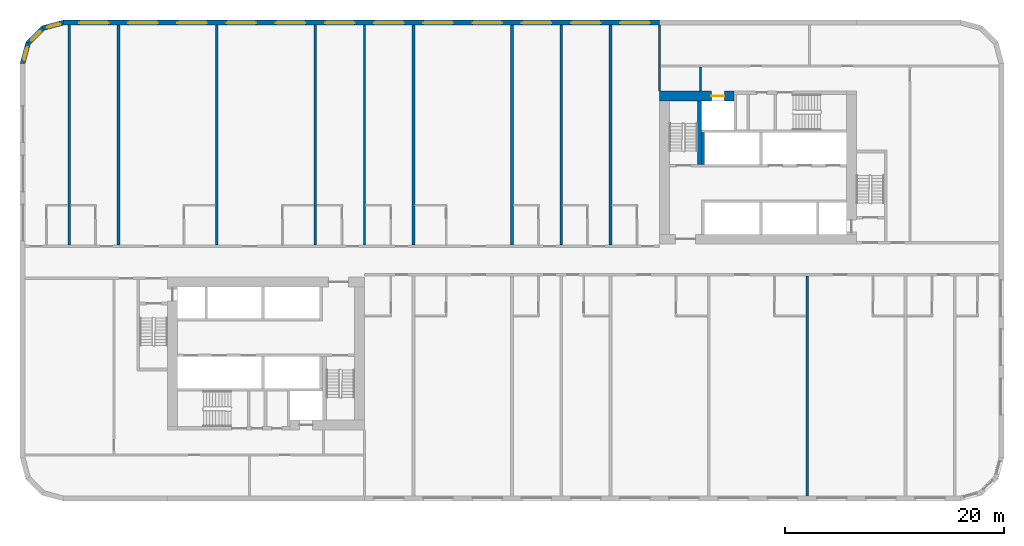
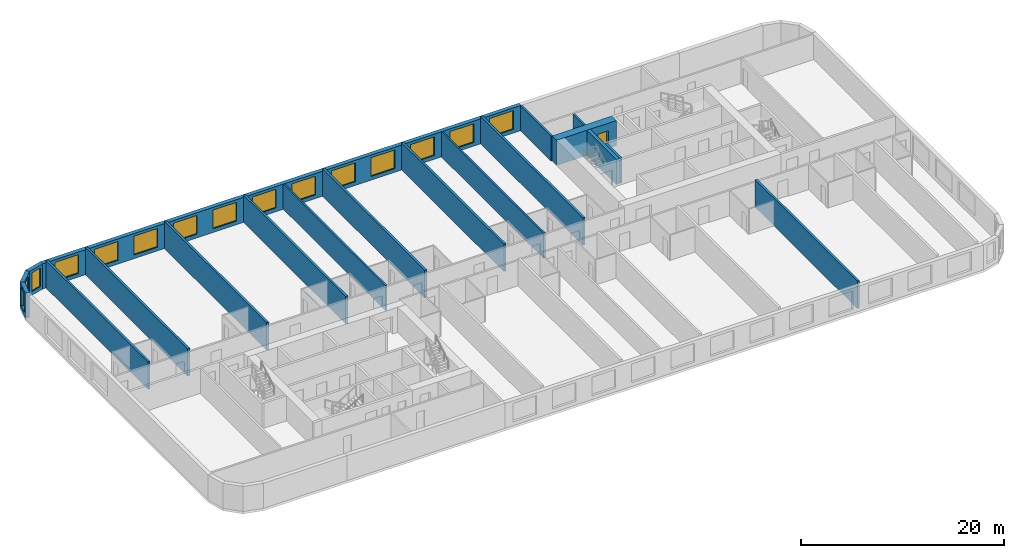
# One storey, part 6 of 12: 19 walls, 15 windows, 1 door, 16 openings.
"""IFC4 building model written with IfcOpenShell, lengths in metres."""

from ifc_helpers import new_model, si_unit, direction, frame, frame_2d, origin, place, context, subcontext, project, spatial, polyline, rectangle, outline, extrude, material, layer, layer_set, type_object, element, fill, save


model = new_model("IFC4")

# Units and contexts
model_context = context("Model", 3, precision=1e-05, world=origin(), true_north=direction((0.0, 1.0)))
body_context = subcontext(model_context, "Body", "Model", "MODEL_VIEW")
ifc_project = project(units=[si_unit("LENGTHUNIT", "METRE"), si_unit("AREAUNIT", "SQUARE_METRE"), si_unit("VOLUMEUNIT", "CUBIC_METRE"), si_unit("PLANEANGLEUNIT", "RADIAN"), si_unit("MASSUNIT", "GRAM", prefix="KILO")], contexts=[model_context])

# Site, building, storey
site_placement = place(None, origin())
site = spatial("IfcSite", under=ifc_project, at=site_placement, CompositionType="ELEMENT")
building_placement = place(site_placement, origin())
building = spatial("IfcBuilding", under=site, at=building_placement, Name="Kajstack Hotel Tower", CompositionType="ELEMENT")
storey_placement = place(building_placement, frame((0.0, 0.0, 63.300048828125)))
storey = spatial("IfcBuildingStorey", under=building, at=storey_placement, Name="L10", CompositionType="ELEMENT", Elevation=63.300048828125)

# Wall, opening, door
ifc_material_1 = material(Name="Concrete C60/75", Category="concrete")
ifc_layer_1 = layer(ifc_material_1, 0.89990234375)
ifc_layer_set_1 = layer_set([ifc_layer_1], Name="Core wall 900")
wall_type_1 = type_object("IfcWallType", Name="Core wall 900", PredefinedType="SHEAR", material=ifc_layer_set_1)
wall_1_placement = place(storey_placement, frame((13.5, 15.050048828125, 0.0), z_axis=(0.0, 0.0, 1.0), x_axis=(1.0, 0.0, 0.0)))
wall_1 = element("IfcWall", 1, at=wall_1_placement, inside=storey, type_object=wall_type_1, Name="Core wall E RS", PredefinedType="SHEAR", context=body_context, shape_type="SweptSolid", body=[
    extrude(rectangle(XDim=6.800048828125, YDim=0.89990234375, at=frame_2d((3.39990234375, 0.0))), origin(), (0.0, 0.0, 1.0), 3.02001953125),
])
opening_1_placement = place(wall_1_placement, frame((4.72509765625, 0.0, 0.0)))
opening_1 = element("IfcOpeningElement", 2, at=opening_1_placement, cuts=wall_1, Name="Opening LD-SV2", PredefinedType="OPENING", context=body_context, shape_type="SweptSolid", body=[
    extrude(rectangle(XDim=1.199951171875, YDim=2.10009765625, at=frame_2d((0.60009765625, 1.050048828125))), frame((0.0, 0.4599609375, 0.0), z_axis=(0.0, -1.0, 0.0), x_axis=(1.0, 0.0, 0.0)), (0.0, 0.0, 1.0), 0.919921875),
])
ifc_material_2 = material(Name="Stainless steel", Category="steel")
door_type = type_object("IfcDoorType", Name="Lift landing door 1200", OperationType="SLIDING_TO_LEFT", PredefinedType="DOOR", material=ifc_material_2)
door_placement = place(opening_1_placement, origin())
door = element("IfcDoor", 3, at=door_placement, inside=storey, type_object=door_type, Name="Landing door SV2", OperationType="SLIDING_TO_LEFT", OverallHeight=2.10009765625, OverallWidth=1.199951171875, PredefinedType="DOOR", context=body_context, shape_type="SweptSolid", body=[
    extrude(rectangle(XDim=1.199951171875, YDim=2.10009765625, at=frame_2d((0.60009765625, 1.050048828125))), frame((0.0, 0.02490234375, 0.0), z_axis=(0.0, -1.0, 0.0), x_axis=(1.0, 0.0, 0.0)), (0.0, 0.0, 1.0), 0.050048828125),
])
fill(opening_1, door)

# Walls
ifc_material_3 = material(Name="Twin-frame gypsum board on steel studs, mineral wool", Category="steel")
ifc_layer_2 = layer(ifc_material_3, 0.199951171875)
ifc_layer_set_2 = layer_set([ifc_layer_2], Name="Demising wall 200")
wall_type_2 = type_object("IfcWallType", Name="Demising wall 200", PredefinedType="PARTITIONING", material=ifc_layer_set_2)
wall_2_placement = place(storey_placement, frame((13.5, 15.5, 0.0), z_axis=(0.0, 0.0, 1.0), x_axis=(0.0, 1.0, 0.0)))
element("IfcWall", 4, at=wall_2_placement, inside=storey, type_object=wall_type_2, Name="G-wall-L10-001", PredefinedType="PARTITIONING", context=body_context, shape_type="SweptSolid", body=[
    extrude(rectangle(XDim=6.050048828125, YDim=0.199951171875, at=frame_2d((3.02490234375, 0.0))), origin(), (0.0, 0.0, 1.0), 3.02001953125),
])
for number, where, z_axis, x_axis, name in (
    (5, (-13.5, 1.39990234375, 0.0), (0.0, 0.0, 1.0), (0.0, 1.0, 0.0), "G-wall-L10-012"),
    (6, (4.5, 1.39990234375, 0.0), (0.0, 0.0, 1.0), (0.0, 1.0, 0.0), "G-wall-L10-019"),
):
    element("IfcWall", number, at=place(storey_placement, frame(where, z_axis=z_axis, x_axis=x_axis)), inside=storey, type_object=wall_type_2, Name=name, PredefinedType="PARTITIONING", context=body_context, shape_type="SweptSolid", body=[
        extrude(rectangle(XDim=20.150146484375, YDim=0.199951171875, at=frame_2d((10.0751953125, 0.0))), origin(), (0.0, 0.0, 1.0), 3.02001953125),
    ])

# Wall, openings, windows
ifc_material_4 = material(Name="Terracotta-faced brick masonry", Category="masonry")
ifc_layer_3 = layer(ifc_material_4, 0.449951171875)
ifc_layer_set_3 = layer_set([ifc_layer_3], Name="EW-TERRA")
wall_type_3 = type_object("IfcWallType", Name="EW-TERRA", PredefinedType="SOLIDWALL", material=ifc_layer_set_3)
wall_3_placement = place(storey_placement, frame((13.5, 21.77490234375, 0.0), z_axis=(0.0, 0.0, 1.0), x_axis=(-1.0, 0.0, 0.0)))
wall_3 = element("IfcWall", 7, at=wall_3_placement, inside=storey, type_object=wall_type_3, Name="E-wall-L10-11-02", PredefinedType="SOLIDWALL", context=body_context, shape_type="SweptSolid", body=[
    extrude(rectangle(XDim=54.5, YDim=0.449951171875, at=frame_2d((27.25, 0.0))), origin(), (0.0, 0.0, 1.0), 3.02001953125),
])
opening_2_placement = place(wall_3_placement, frame((0.89990234375, 0.0, 0.449951171875)))
opening_2 = element("IfcOpeningElement", 8, at=opening_2_placement, cuts=wall_3, Name="Opening W1", PredefinedType="OPENING", context=body_context, shape_type="SweptSolid", body=[
    extrude(rectangle(XDim=2.699951171875, YDim=2.25, at=frame_2d((1.35009765625, 1.125))), frame((0.0, 0.23486328125, 0.0), z_axis=(0.0, -1.0, 0.0), x_axis=(1.0, 0.0, 0.0)), (0.0, 0.0, 1.0), 0.469970703125),
])
opening_3_placement = place(wall_3_placement, frame((5.39990234375, 0.0, 0.449951171875)))
opening_3 = element("IfcOpeningElement", 9, at=opening_3_placement, cuts=wall_3, Name="Opening W1", PredefinedType="OPENING", context=body_context, shape_type="SweptSolid", body=[
    extrude(rectangle(XDim=2.699951171875, YDim=2.25, at=frame_2d((1.35009765625, 1.125))), frame((0.0, 0.23486328125, 0.0), z_axis=(0.0, -1.0, 0.0), x_axis=(1.0, 0.0, 0.0)), (0.0, 0.0, 1.0), 0.469970703125),
])
opening_4_placement = place(wall_3_placement, frame((9.89990234375, 0.0, 0.449951171875)))
opening_4 = element("IfcOpeningElement", 10, at=opening_4_placement, cuts=wall_3, Name="Opening W1", PredefinedType="OPENING", context=body_context, shape_type="SweptSolid", body=[
    extrude(rectangle(XDim=2.699951171875, YDim=2.25, at=frame_2d((1.35009765625, 1.125))), frame((0.0, 0.23486328125, 0.0), z_axis=(0.0, -1.0, 0.0), x_axis=(1.0, 0.0, 0.0)), (0.0, 0.0, 1.0), 0.469970703125),
])
opening_5_placement = place(wall_3_placement, frame((14.39990234375, 0.0, 0.449951171875)))
opening_5 = element("IfcOpeningElement", 11, at=opening_5_placement, cuts=wall_3, Name="Opening W1", PredefinedType="OPENING", context=body_context, shape_type="SweptSolid", body=[
    extrude(rectangle(XDim=2.699951171875, YDim=2.25, at=frame_2d((1.35009765625, 1.125))), frame((0.0, 0.23486328125, 0.0), z_axis=(0.0, -1.0, 0.0), x_axis=(1.0, 0.0, 0.0)), (0.0, 0.0, 1.0), 0.469970703125),
])
opening_6_placement = place(wall_3_placement, frame((18.89990234375, 0.0, 0.449951171875)))
opening_6 = element("IfcOpeningElement", 12, at=opening_6_placement, cuts=wall_3, Name="Opening W1", PredefinedType="OPENING", context=body_context, shape_type="SweptSolid", body=[
    extrude(rectangle(XDim=2.699951171875, YDim=2.25, at=frame_2d((1.35009765625, 1.125))), frame((0.0, 0.23486328125, 0.0), z_axis=(0.0, -1.0, 0.0), x_axis=(1.0, 0.0, 0.0)), (0.0, 0.0, 1.0), 0.469970703125),
])
opening_7_placement = place(wall_3_placement, frame((23.39990234375, 0.0, 0.449951171875)))
opening_7 = element("IfcOpeningElement", 13, at=opening_7_placement, cuts=wall_3, Name="Opening W1", PredefinedType="OPENING", context=body_context, shape_type="SweptSolid", body=[
    extrude(rectangle(XDim=2.699951171875, YDim=2.25, at=frame_2d((1.35009765625, 1.125))), frame((0.0, 0.23486328125, 0.0), z_axis=(0.0, -1.0, 0.0), x_axis=(1.0, 0.0, 0.0)), (0.0, 0.0, 1.0), 0.469970703125),
])
opening_8_placement = place(wall_3_placement, frame((27.89990234375, 0.0, 0.449951171875)))
opening_8 = element("IfcOpeningElement", 14, at=opening_8_placement, cuts=wall_3, Name="Opening W1", PredefinedType="OPENING", context=body_context, shape_type="SweptSolid", body=[
    extrude(rectangle(XDim=2.699951171875, YDim=2.25, at=frame_2d((1.35009765625, 1.125))), frame((0.0, 0.23486328125, 0.0), z_axis=(0.0, -1.0, 0.0), x_axis=(1.0, 0.0, 0.0)), (0.0, 0.0, 1.0), 0.469970703125),
])
opening_9_placement = place(wall_3_placement, frame((32.39990234375, 0.0, 0.449951171875)))
opening_9 = element("IfcOpeningElement", 15, at=opening_9_placement, cuts=wall_3, Name="Opening W1", PredefinedType="OPENING", context=body_context, shape_type="SweptSolid", body=[
    extrude(rectangle(XDim=2.699951171875, YDim=2.25, at=frame_2d((1.35009765625, 1.125))), frame((0.0, 0.23486328125, 0.0), z_axis=(0.0, -1.0, 0.0), x_axis=(1.0, 0.0, 0.0)), (0.0, 0.0, 1.0), 0.469970703125),
])
opening_10_placement = place(wall_3_placement, frame((36.89990234375, 0.0, 0.449951171875)))
opening_10 = element("IfcOpeningElement", 16, at=opening_10_placement, cuts=wall_3, Name="Opening W1", PredefinedType="OPENING", context=body_context, shape_type="SweptSolid", body=[
    extrude(rectangle(XDim=2.699951171875, YDim=2.25, at=frame_2d((1.35009765625, 1.125))), frame((0.0, 0.23486328125, 0.0), z_axis=(0.0, -1.0, 0.0), x_axis=(1.0, 0.0, 0.0)), (0.0, 0.0, 1.0), 0.469970703125),
])
opening_11_placement = place(wall_3_placement, frame((41.39990234375, 0.0, 0.449951171875)))
opening_11 = element("IfcOpeningElement", 17, at=opening_11_placement, cuts=wall_3, Name="Opening W1", PredefinedType="OPENING", context=body_context, shape_type="SweptSolid", body=[
    extrude(rectangle(XDim=2.699951171875, YDim=2.25, at=frame_2d((1.35009765625, 1.125))), frame((0.0, 0.23486328125, 0.0), z_axis=(0.0, -1.0, 0.0), x_axis=(1.0, 0.0, 0.0)), (0.0, 0.0, 1.0), 0.469970703125),
])
opening_12_placement = place(wall_3_placement, frame((45.89990234375, 0.0, 0.449951171875)))
opening_12 = element("IfcOpeningElement", 18, at=opening_12_placement, cuts=wall_3, Name="Opening W1", PredefinedType="OPENING", context=body_context, shape_type="SweptSolid", body=[
    extrude(rectangle(XDim=2.699951171875, YDim=2.25, at=frame_2d((1.35009765625, 1.125))), frame((0.0, 0.23486328125, 0.0), z_axis=(0.0, -1.0, 0.0), x_axis=(1.0, 0.0, 0.0)), (0.0, 0.0, 1.0), 0.469970703125),
])
opening_13_placement = place(wall_3_placement, frame((50.39990234375, 0.0, 0.449951171875)))
opening_13 = element("IfcOpeningElement", 19, at=opening_13_placement, cuts=wall_3, Name="Opening W1", PredefinedType="OPENING", context=body_context, shape_type="SweptSolid", body=[
    extrude(rectangle(XDim=2.699951171875, YDim=2.25, at=frame_2d((1.35009765625, 1.125))), frame((0.0, 0.23486328125, 0.0), z_axis=(0.0, -1.0, 0.0), x_axis=(1.0, 0.0, 0.0)), (0.0, 0.0, 1.0), 0.469970703125),
])
ifc_material_5 = material(Name="Timber-aluminium window, triple glazed", Category="wood")
window_type_1 = type_object("IfcWindowType", Name="WG1", PartitioningType="SINGLE_PANEL", PredefinedType="WINDOW", material=ifc_material_5)
window_1_placement = place(opening_2_placement, origin())
window_1 = element("IfcWindow", 20, at=window_1_placement, inside=storey, type_object=window_type_1, Name="Window W1 L10-11", OverallHeight=2.25, OverallWidth=2.699951171875, PartitioningType="SINGLE_PANEL", PredefinedType="WINDOW", context=body_context, shape_type="SweptSolid", body=[
    extrude(rectangle(XDim=2.699951171875, YDim=2.25, at=frame_2d((1.35009765625, 1.125))), frame((0.0, 0.090087890625, 0.0), z_axis=(0.0, -1.0, 0.0), x_axis=(1.0, 0.0, 0.0)), (0.0, 0.0, 1.0), 0.06005859375),
])
fill(opening_2, window_1)
window_2_placement = place(opening_3_placement, origin())
window_2 = element("IfcWindow", 21, at=window_2_placement, inside=storey, type_object=window_type_1, Name="Window W1 L10-11", OverallHeight=2.25, OverallWidth=2.699951171875, PartitioningType="SINGLE_PANEL", PredefinedType="WINDOW", context=body_context, shape_type="SweptSolid", body=[
    extrude(rectangle(XDim=2.699951171875, YDim=2.25, at=frame_2d((1.35009765625, 1.125))), frame((0.0, 0.090087890625, 0.0), z_axis=(0.0, -1.0, 0.0), x_axis=(1.0, 0.0, 0.0)), (0.0, 0.0, 1.0), 0.06005859375),
])
fill(opening_3, window_2)
window_3_placement = place(opening_4_placement, origin())
window_3 = element("IfcWindow", 22, at=window_3_placement, inside=storey, type_object=window_type_1, Name="Window W1 L10-11", OverallHeight=2.25, OverallWidth=2.699951171875, PartitioningType="SINGLE_PANEL", PredefinedType="WINDOW", context=body_context, shape_type="SweptSolid", body=[
    extrude(rectangle(XDim=2.699951171875, YDim=2.25, at=frame_2d((1.35009765625, 1.125))), frame((0.0, 0.090087890625, 0.0), z_axis=(0.0, -1.0, 0.0), x_axis=(1.0, 0.0, 0.0)), (0.0, 0.0, 1.0), 0.06005859375),
])
fill(opening_4, window_3)
window_4_placement = place(opening_5_placement, origin())
window_4 = element("IfcWindow", 23, at=window_4_placement, inside=storey, type_object=window_type_1, Name="Window W1 L10-11", OverallHeight=2.25, OverallWidth=2.699951171875, PartitioningType="SINGLE_PANEL", PredefinedType="WINDOW", context=body_context, shape_type="SweptSolid", body=[
    extrude(rectangle(XDim=2.699951171875, YDim=2.25, at=frame_2d((1.35009765625, 1.125))), frame((0.0, 0.090087890625, 0.0), z_axis=(0.0, -1.0, 0.0), x_axis=(1.0, 0.0, 0.0)), (0.0, 0.0, 1.0), 0.06005859375),
])
fill(opening_5, window_4)
window_5_placement = place(opening_6_placement, origin())
window_5 = element("IfcWindow", 24, at=window_5_placement, inside=storey, type_object=window_type_1, Name="Window W1 L10-11", OverallHeight=2.25, OverallWidth=2.699951171875, PartitioningType="SINGLE_PANEL", PredefinedType="WINDOW", context=body_context, shape_type="SweptSolid", body=[
    extrude(rectangle(XDim=2.699951171875, YDim=2.25, at=frame_2d((1.35009765625, 1.125))), frame((0.0, 0.090087890625, 0.0), z_axis=(0.0, -1.0, 0.0), x_axis=(1.0, 0.0, 0.0)), (0.0, 0.0, 1.0), 0.06005859375),
])
fill(opening_6, window_5)
window_6_placement = place(opening_7_placement, origin())
window_6 = element("IfcWindow", 25, at=window_6_placement, inside=storey, type_object=window_type_1, Name="Window W1 L10-11", OverallHeight=2.25, OverallWidth=2.699951171875, PartitioningType="SINGLE_PANEL", PredefinedType="WINDOW", context=body_context, shape_type="SweptSolid", body=[
    extrude(rectangle(XDim=2.699951171875, YDim=2.25, at=frame_2d((1.35009765625, 1.125))), frame((0.0, 0.090087890625, 0.0), z_axis=(0.0, -1.0, 0.0), x_axis=(1.0, 0.0, 0.0)), (0.0, 0.0, 1.0), 0.06005859375),
])
fill(opening_7, window_6)
window_7_placement = place(opening_8_placement, origin())
window_7 = element("IfcWindow", 26, at=window_7_placement, inside=storey, type_object=window_type_1, Name="Window W1 L10-11", OverallHeight=2.25, OverallWidth=2.699951171875, PartitioningType="SINGLE_PANEL", PredefinedType="WINDOW", context=body_context, shape_type="SweptSolid", body=[
    extrude(rectangle(XDim=2.699951171875, YDim=2.25, at=frame_2d((1.35009765625, 1.125))), frame((0.0, 0.090087890625, 0.0), z_axis=(0.0, -1.0, 0.0), x_axis=(1.0, 0.0, 0.0)), (0.0, 0.0, 1.0), 0.06005859375),
])
fill(opening_8, window_7)
window_8_placement = place(opening_9_placement, origin())
window_8 = element("IfcWindow", 27, at=window_8_placement, inside=storey, type_object=window_type_1, Name="Window W1 L10-11", OverallHeight=2.25, OverallWidth=2.699951171875, PartitioningType="SINGLE_PANEL", PredefinedType="WINDOW", context=body_context, shape_type="SweptSolid", body=[
    extrude(rectangle(XDim=2.699951171875, YDim=2.25, at=frame_2d((1.35009765625, 1.125))), frame((0.0, 0.090087890625, 0.0), z_axis=(0.0, -1.0, 0.0), x_axis=(1.0, 0.0, 0.0)), (0.0, 0.0, 1.0), 0.06005859375),
])
fill(opening_9, window_8)
window_9_placement = place(opening_10_placement, origin())
window_9 = element("IfcWindow", 28, at=window_9_placement, inside=storey, type_object=window_type_1, Name="Window W1 L10-11", OverallHeight=2.25, OverallWidth=2.699951171875, PartitioningType="SINGLE_PANEL", PredefinedType="WINDOW", context=body_context, shape_type="SweptSolid", body=[
    extrude(rectangle(XDim=2.699951171875, YDim=2.25, at=frame_2d((1.35009765625, 1.125))), frame((0.0, 0.090087890625, 0.0), z_axis=(0.0, -1.0, 0.0), x_axis=(1.0, 0.0, 0.0)), (0.0, 0.0, 1.0), 0.06005859375),
])
fill(opening_10, window_9)
window_10_placement = place(opening_11_placement, origin())
window_10 = element("IfcWindow", 29, at=window_10_placement, inside=storey, type_object=window_type_1, Name="Window W1 L10-11", OverallHeight=2.25, OverallWidth=2.699951171875, PartitioningType="SINGLE_PANEL", PredefinedType="WINDOW", context=body_context, shape_type="SweptSolid", body=[
    extrude(rectangle(XDim=2.699951171875, YDim=2.25, at=frame_2d((1.35009765625, 1.125))), frame((0.0, 0.090087890625, 0.0), z_axis=(0.0, -1.0, 0.0), x_axis=(1.0, 0.0, 0.0)), (0.0, 0.0, 1.0), 0.06005859375),
])
fill(opening_11, window_10)
window_11_placement = place(opening_12_placement, origin())
window_11 = element("IfcWindow", 30, at=window_11_placement, inside=storey, type_object=window_type_1, Name="Window W1 L10-11", OverallHeight=2.25, OverallWidth=2.699951171875, PartitioningType="SINGLE_PANEL", PredefinedType="WINDOW", context=body_context, shape_type="SweptSolid", body=[
    extrude(rectangle(XDim=2.699951171875, YDim=2.25, at=frame_2d((1.35009765625, 1.125))), frame((0.0, 0.090087890625, 0.0), z_axis=(0.0, -1.0, 0.0), x_axis=(1.0, 0.0, 0.0)), (0.0, 0.0, 1.0), 0.06005859375),
])
fill(opening_12, window_11)
window_12_placement = place(opening_13_placement, origin())
window_12 = element("IfcWindow", 31, at=window_12_placement, inside=storey, type_object=window_type_1, Name="Window W1 L10-11", OverallHeight=2.25, OverallWidth=2.699951171875, PartitioningType="SINGLE_PANEL", PredefinedType="WINDOW", context=body_context, shape_type="SweptSolid", body=[
    extrude(rectangle(XDim=2.699951171875, YDim=2.25, at=frame_2d((1.35009765625, 1.125))), frame((0.0, 0.090087890625, 0.0), z_axis=(0.0, -1.0, 0.0), x_axis=(1.0, 0.0, 0.0)), (0.0, 0.0, 1.0), 0.06005859375),
])
fill(opening_13, window_12)

# Wall, opening, window
wall_4_placement = place(storey_placement, frame((-40.941650390625, 21.78271484375, 0.0), z_axis=(0.0, 0.0, 1.0), x_axis=(-0.965926999034, -0.25881466832, 0.0)))
wall_4 = element("IfcWall", 32, at=wall_4_placement, inside=storey, type_object=wall_type_3, Name="E-wall-L10-12-00", PredefinedType="SOLIDWALL", context=body_context, shape_type="SweptSolid", body=[
    extrude(outline(polyline([(0.000244140625, -0.22509765625), (2.070556640625, -0.224853515625), (1.9501953125, 0.22509765625), (0.12060546875, 0.22509765625), (0.000244140625, -0.22509765625)])), origin(), (0.0, 0.0, 1.0), 3.02001953125),
])
opening_14_placement = place(wall_4_placement, frame((0.435302734375, 0.0, 0.449951171875)))
opening_14 = element("IfcOpeningElement", 33, at=opening_14_placement, cuts=wall_4, Name="Opening W3", PredefinedType="OPENING", context=body_context, shape_type="SweptSolid", body=[
    extrude(rectangle(XDim=1.199951171875, YDim=2.25, at=frame_2d((0.60009765625, 1.125))), frame((0.0, 0.23486328125, 0.0), z_axis=(0.0, -1.0, 0.0), x_axis=(1.0, 0.0, 0.0)), (0.0, 0.0, 1.0), 0.469970703125),
])
window_type_2 = type_object("IfcWindowType", Name="WG3", PartitioningType="SINGLE_PANEL", PredefinedType="WINDOW", material=ifc_material_5)
window_13_placement = place(opening_14_placement, origin())
window_13 = element("IfcWindow", 34, at=window_13_placement, inside=storey, type_object=window_type_2, Name="Window W3 L10-12", OverallHeight=2.25, OverallWidth=1.199951171875, PartitioningType="SINGLE_PANEL", PredefinedType="WINDOW", context=body_context, shape_type="SweptSolid", body=[
    extrude(rectangle(XDim=1.199951171875, YDim=2.25, at=frame_2d((0.60009765625, 1.125))), frame((0.0, 0.090087890625, 0.0), z_axis=(0.0, -1.0, 0.0), x_axis=(1.0, 0.0, 0.0)), (0.0, 0.0, 1.0), 0.06005859375),
])
fill(opening_14, window_13)

wall_5_placement = place(storey_placement, frame((-42.8408203125, 21.304931640625, 0.0), z_axis=(0.0, 0.0, 1.0), x_axis=(-0.707106781187, -0.707106781187, 0.0)))
wall_5 = element("IfcWall", 35, at=wall_5_placement, inside=storey, type_object=wall_type_3, Name="E-wall-L10-13-00", PredefinedType="SOLIDWALL", context=body_context, shape_type="SweptSolid", body=[
    extrude(outline(polyline([(0.0, -0.22509765625), (2.070556640625, -0.22509765625), (1.949951171875, 0.224853515625), (0.12060546875, 0.224853515625), (0.0, -0.22509765625)])), origin(), (0.0, 0.0, 1.0), 3.02001953125),
])
opening_15_placement = place(wall_5_placement, frame((0.435302734375, 0.0, 0.449951171875)))
opening_15 = element("IfcOpeningElement", 36, at=opening_15_placement, cuts=wall_5, Name="Opening W3", PredefinedType="OPENING", context=body_context, shape_type="SweptSolid", body=[
    extrude(rectangle(XDim=1.199951171875, YDim=2.25, at=frame_2d((0.60009765625, 1.125))), frame((0.0, 0.23486328125, 0.0), z_axis=(0.0, -1.0, 0.0), x_axis=(1.0, 0.0, 0.0)), (0.0, 0.0, 1.0), 0.469970703125),
])
window_14_placement = place(opening_15_placement, origin())
window_14 = element("IfcWindow", 37, at=window_14_placement, inside=storey, type_object=window_type_2, Name="Window W3 L10-13", OverallHeight=2.25, OverallWidth=1.199951171875, PartitioningType="SINGLE_PANEL", PredefinedType="WINDOW", context=body_context, shape_type="SweptSolid", body=[
    extrude(rectangle(XDim=1.199951171875, YDim=2.25, at=frame_2d((0.60009765625, 1.125))), frame((0.0, 0.090087890625, 0.0), z_axis=(0.0, -1.0, 0.0), x_axis=(1.0, 0.0, 0.0)), (0.0, 0.0, 1.0), 0.06005859375),
])
fill(opening_15, window_14)

wall_6_placement = place(storey_placement, frame((-44.246826171875, 19.941650390625, 0.0), z_axis=(0.0, 0.0, 1.0), x_axis=(-0.25881466832, -0.965926999034, 0.0)))
wall_6 = element("IfcWall", 38, at=wall_6_placement, inside=storey, type_object=wall_type_3, Name="E-wall-L10-14-00", PredefinedType="SOLIDWALL", context=body_context, shape_type="SweptSolid", body=[
    extrude(outline(polyline([(-0.000244140625, -0.224853515625), (2.0703125, -0.22509765625), (1.949951171875, 0.22509765625), (0.120361328125, 0.22509765625), (-0.000244140625, -0.224853515625)])), origin(), (0.0, 0.0, 1.0), 3.02001953125),
])
opening_16_placement = place(wall_6_placement, frame((0.435302734375, 0.0, 0.449951171875)))
opening_16 = element("IfcOpeningElement", 39, at=opening_16_placement, cuts=wall_6, Name="Opening W3", PredefinedType="OPENING", context=body_context, shape_type="SweptSolid", body=[
    extrude(rectangle(XDim=1.199951171875, YDim=2.25, at=frame_2d((0.60009765625, 1.125))), frame((0.0, 0.23486328125, 0.0), z_axis=(0.0, -1.0, 0.0), x_axis=(1.0, 0.0, 0.0)), (0.0, 0.0, 1.0), 0.469970703125),
])
window_15_placement = place(opening_16_placement, origin())
window_15 = element("IfcWindow", 40, at=window_15_placement, inside=storey, type_object=window_type_2, Name="Window W3 L10-14", OverallHeight=2.25, OverallWidth=1.199951171875, PartitioningType="SINGLE_PANEL", PredefinedType="WINDOW", context=body_context, shape_type="SweptSolid", body=[
    extrude(rectangle(XDim=1.199951171875, YDim=2.25, at=frame_2d((0.60009765625, 1.125))), frame((0.0, 0.090087890625, 0.0), z_axis=(0.0, -1.0, 0.0), x_axis=(1.0, 0.0, 0.0)), (0.0, 0.0, 1.0), 0.06005859375),
])
fill(opening_16, window_15)

# Walls
ifc_layer_4 = layer(ifc_material_1, 0.25)
ifc_layer_set_4 = layer_set([ifc_layer_4], Name="RC cross wall 250 C60/75")
wall_type_4 = type_object("IfcWallType", Name="RC cross wall 250 C60/75", PredefinedType="SHEAR", material=ifc_layer_set_4)
for number, where, z_axis, x_axis, name in (
    (41, (-40.5, 1.39990234375, 0.0), (0.0, 0.0, 1.0), (0.0, 1.0, 0.0), "S-wall-L10-01"),
    (42, (-36.0, 1.39990234375, 0.0), (0.0, 0.0, 1.0), (0.0, 1.0, 0.0), "S-wall-L10-02"),
    (43, (-27.0, 1.39990234375, 0.0), (0.0, 0.0, 1.0), (0.0, 1.0, 0.0), "S-wall-L10-03"),
    (44, (-18.0, 1.39990234375, 0.0), (0.0, 0.0, 1.0), (0.0, 1.0, 0.0), "S-wall-L10-04"),
    (45, (-9.0, 1.39990234375, 0.0), (0.0, 0.0, 1.0), (0.0, 1.0, 0.0), "S-wall-L10-06"),
    (46, (0.0, 1.39990234375, 0.0), (0.0, 0.0, 1.0), (0.0, 1.0, 0.0), "S-wall-L10-08"),
    (47, (9.0, 1.39990234375, 0.0), (0.0, 0.0, 1.0), (0.0, 1.0, 0.0), "S-wall-L10-10"),
    (48, (27.0, -21.5400390625, 0.0), (0.0, 0.0, 1.0), (0.0, 1.0, 0.0), "S-wall-L10-12"),
):
    element("IfcWall", number, at=place(storey_placement, frame(where, z_axis=z_axis, x_axis=x_axis)), inside=storey, type_object=wall_type_4, Name=name, PredefinedType="SHEAR", context=body_context, shape_type="SweptSolid", body=[
        extrude(rectangle(XDim=20.14013671875, YDim=0.25, at=frame_2d((10.070068359375, 0.0))), origin(), (0.0, 0.0, 1.0), 3.300048828125),
    ])
ifc_material_6 = material(Name="Gypsum board on steel studs, mineral wool", Category="steel")
ifc_layer_5 = layer(ifc_material_6, 0.199951171875)
ifc_layer_set_5 = layer_set([ifc_layer_5], Name="Service partition 200")
wall_type_5 = type_object("IfcWallType", Name="Service partition 200", PredefinedType="PARTITIONING", material=ifc_layer_set_5)
wall_7_placement = place(storey_placement, frame((17.25, 15.5, 0.0), z_axis=(0.0, 0.0, 1.0), x_axis=(0.0, 1.0, 0.0)))
element("IfcWall", 49, at=wall_7_placement, inside=storey, type_object=wall_type_5, Name="Partition E SCE", PredefinedType="PARTITIONING", context=body_context, shape_type="SweptSolid", body=[
    extrude(rectangle(XDim=2.199951171875, YDim=0.199951171875, at=frame_2d((1.10009765625, 0.0))), origin(), (0.0, 0.0, 1.0), 3.02001953125),
])
ifc_material_7 = material(Name="Concrete C50/60", Category="concrete")
ifc_layer_6 = layer(ifc_material_7, 0.25)
ifc_layer_set_6 = layer_set([ifc_layer_6], Name="Shaft wall 250")
wall_type_6 = type_object("IfcWallType", Name="Shaft wall 250", PredefinedType="SHEAR", material=ifc_layer_set_6)
wall_8_placement = place(storey_placement, frame((17.47509765625, 8.800048828125, 0.0), z_axis=(0.0, 0.0, 1.0), x_axis=(0.0, 1.0, 0.0)))
element("IfcWall", 50, at=wall_8_placement, inside=storey, type_object=wall_type_6, Name="Core wall E BE", PredefinedType="SHEAR", context=body_context, shape_type="SweptSolid", body=[
    extrude(rectangle(XDim=2.89990234375, YDim=0.25, at=frame_2d((1.449951171875, 0.0))), origin(), (0.0, 0.0, 1.0), 3.02001953125),
])
ifc_layer_7 = layer(ifc_material_7, 0.39990234375)
ifc_layer_set_7 = layer_set([ifc_layer_7], Name="Stair wall 400")
wall_type_7 = type_object("IfcWallType", Name="Stair wall 400", PredefinedType="SHEAR", material=ifc_layer_set_7)
wall_9_placement = place(storey_placement, frame((17.14990234375, 8.800048828125, 0.0), z_axis=(0.0, 0.0, 1.0), x_axis=(0.0, 1.0, 0.0)))
element("IfcWall", 51, at=wall_9_placement, inside=storey, type_object=wall_type_7, Name="Core wall E WW2", PredefinedType="SHEAR", context=body_context, shape_type="SweptSolid", body=[
    extrude(rectangle(XDim=5.800048828125, YDim=0.39990234375, at=frame_2d((2.89990234375, 0.0))), origin(), (0.0, 0.0, 1.0), 3.02001953125),
])

save(model, "model.ifc")
